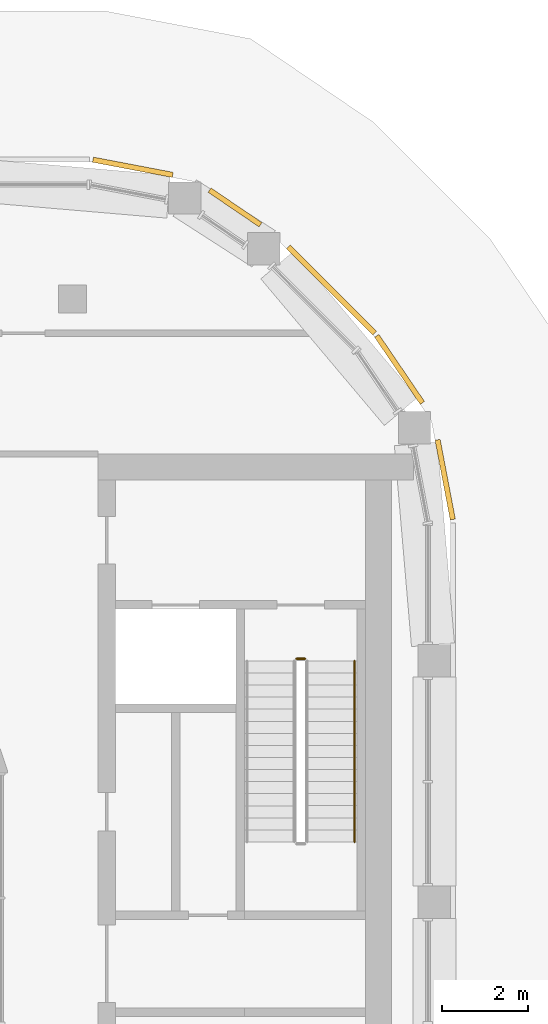
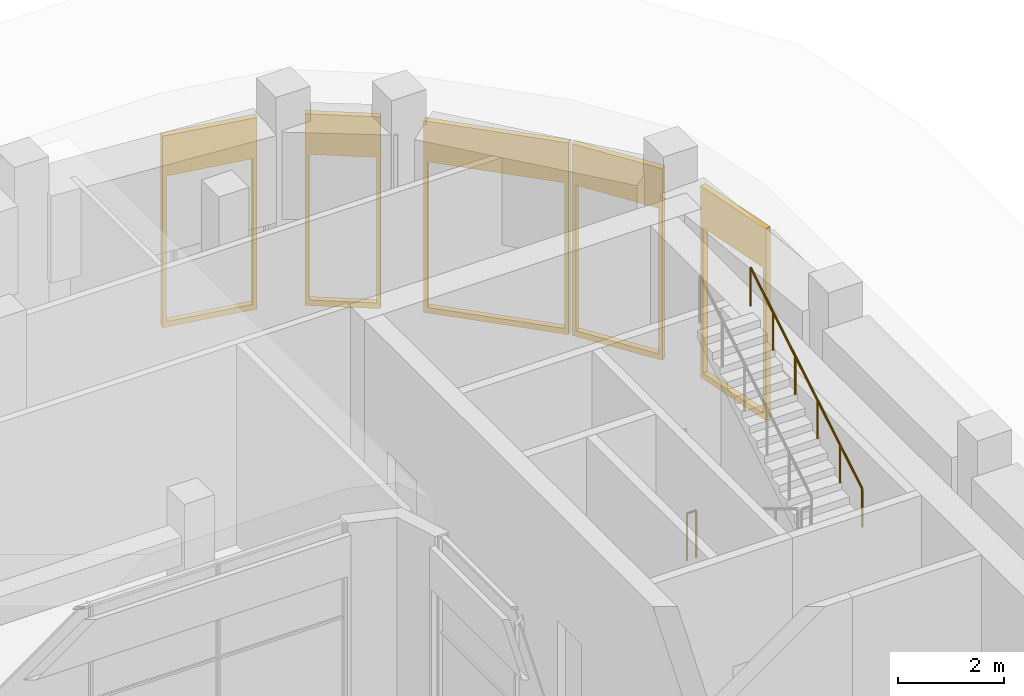
# One storey, part 23 of 23: 5 coverings, 2 railings.
"""IFC4 building model written with IfcOpenShell, lengths in metres."""

from ifc_helpers import new_model, si_unit, direction, frame, origin, origin_2d, place, context, subcontext, project, spatial, polyline, circle, outline, extrude, material, layer, layer_set, type_object, element, save


model = new_model("IFC4")

# Units and contexts
model_context = context("Model", 3, precision=1e-05, world=origin(), true_north=direction((0.0, 1.0)))
body_context = subcontext(model_context, "Body", "Model", "MODEL_VIEW")
ifc_project = project(units=[si_unit("LENGTHUNIT", "METRE"), si_unit("AREAUNIT", "SQUARE_METRE"), si_unit("VOLUMEUNIT", "CUBIC_METRE"), si_unit("PLANEANGLEUNIT", "RADIAN"), si_unit("MASSUNIT", "GRAM", prefix="KILO")], contexts=[model_context])

# Site, building, storey
site_placement = place(None, origin())
site = spatial("IfcSite", under=ifc_project, at=site_placement, CompositionType="ELEMENT")
building_placement = place(site_placement, origin())
building = spatial("IfcBuilding", under=site, at=building_placement, Name="Kiln Ring Residences", CompositionType="ELEMENT")
storey_placement = place(building_placement, frame((0.0, 0.0, 294.5)))
storey = spatial("IfcBuildingStorey", under=building, at=storey_placement, Name="L76", CompositionType="ELEMENT", Elevation=294.5)

# Railings
ifc_material_1 = material(Name="Stainless steel", Category="steel")
railing_type_1 = type_object("IfcRailingType", Name="CORE-STAIR-GUARD", PredefinedType="GUARDRAIL", material=ifc_material_1)
railing_1_placement = place(storey_placement, frame((22.0, 8.449951171875, 0.0)))
element("IfcRailing", 1, at=railing_1_placement, inside=storey, type_object=railing_type_1, Name="L76 E-STN stair guard 4", PredefinedType="GUARDRAIL", context=body_context, shape_type="SweptSolid", body=[
    extrude(circle(Radius=0.02392578125, at=origin_2d()), frame((0.0, 0.0, 1.076171875), z_axis=(1.0, 0.0, 0.0), x_axis=(0.0, 1.0, 0.0)), (0.0, 0.0, 1.0), 0.199951171875),
    extrude(circle(Radius=0.02099609375, at=origin_2d()), origin(), (0.0, 0.0, 1.0), 1.052001953125),
    extrude(circle(Radius=0.02099609375, at=origin_2d()), frame((0.199951171875, 0.0, 0.0)), (0.0, 0.0, 1.0), 1.052001953125),
])
ifc_material_2 = material(Name="Stainless steel", Category="steel")
railing_type_2 = type_object("IfcRailingType", Name="CORE-STAIR-HANDRAIL", PredefinedType="HANDRAIL", material=ifc_material_2)
railing_2_placement = place(storey_placement, frame((23.35009765625, 4.199951171875, 2.86865234375)))
element("IfcRailing", 2, at=railing_2_placement, inside=storey, type_object=railing_type_2, Name="L76 E-STN stair handrail 2", PredefinedType="HANDRAIL", context=body_context, shape_type="SweptSolid", body=[
    extrude(circle(Radius=0.02392578125, at=origin_2d()), frame((0.0, 0.0, 0.8759765625), z_axis=(0.0, 0.856476492594, 0.516186030065), x_axis=(-1.0, 0.0, 0.0)), (0.0, 0.0, 1.0), 4.90380859375),
    extrude(circle(Radius=0.02099609375, at=origin_2d()), origin(), (0.0, 0.0, 1.0), 0.851806640625),
    extrude(circle(Radius=0.02099609375, at=origin_2d()), frame((0.0, 0.840087890625, 0.50634765625)), (0.0, 0.0, 1.0), 0.851806640625),
    extrude(circle(Radius=0.02099609375, at=origin_2d()), frame((0.0, 1.679931640625, 1.012451171875)), (0.0, 0.0, 1.0), 0.851806640625),
    extrude(circle(Radius=0.02099609375, at=origin_2d()), frame((0.0, 2.52001953125, 1.518798828125)), (0.0, 0.0, 1.0), 0.851806640625),
    extrude(circle(Radius=0.02099609375, at=origin_2d()), frame((0.0, 3.35986328125, 2.02490234375)), (0.0, 0.0, 1.0), 0.851806640625),
    extrude(circle(Radius=0.02099609375, at=origin_2d()), frame((0.0, 4.199951171875, 2.53125)), (0.0, 0.0, 1.0), 0.851806640625),
])

# Coverings
ifc_material_3 = material(Name="Brick masonry, dark clay brick", Category="masonry")
ifc_layer = layer(ifc_material_3, 0.1201171875)
ifc_layer_set = layer_set([ifc_layer], Name="RAINSCREEN PANEL 120")
covering_type = type_object("IfcCoveringType", Name="RAINSCREEN PANEL 120", PredefinedType="CLADDING", material=ifc_layer_set)
for number, where, z_axis, x_axis, name in (
    (3, (25.627197265625, 11.681396484375, 0.0), (0.0, 0.0, 1.0), (-0.187273123953, 0.982307883021, 0.0), "RAINSCREEN L76"),
    (4, (24.920166015625, 14.3857421875, 0.0), (0.0, 0.0, 1.0), (-0.562075713892, 0.827085782645, 0.0), "RAINSCREEN L76"),
):
    element("IfcCovering", number, at=place(storey_placement, frame(where, z_axis=z_axis, x_axis=x_axis)), inside=storey, type_object=covering_type, Name=name, PredefinedType="CLADDING", context=body_context, shape_type="SweptSolid", body=[
        extrude(outline(polyline([(0.0, 0.0), (1.881103515625, 0.0), (1.881103515625, 4.39990234375), (0.0, 4.39990234375), (0.0, 0.0)]), holes=[polyline([(0.080078125, 3.469970703125), (0.080078125, 0.1298828125), (1.801025390625, 0.1298828125), (1.801025390625, 3.469970703125), (0.080078125, 3.469970703125)])]), frame((0.0, 0.06005859375, 0.0), z_axis=(0.0, -1.0, 0.0), x_axis=(1.0, 0.0, 0.0)), (0.0, 0.0, 1.0), 0.1201171875),
    ])
covering_1_placement = place(storey_placement, frame((23.810546875, 16.004638671875, 0.0), z_axis=(0.0, 0.0, 1.0), x_axis=(-0.707106781187, 0.707106781187, 0.0)))
element("IfcCovering", 5, at=covering_1_placement, inside=storey, type_object=covering_type, Name="RAINSCREEN L76", PredefinedType="CLADDING", context=body_context, shape_type="SweptSolid", body=[
    extrude(outline(polyline([(0.0, 0.0), (2.824951171875, 0.0), (2.824951171875, 4.39990234375), (0.0, 4.39990234375), (0.0, 0.0)]), holes=[polyline([(0.080078125, 3.469970703125), (0.080078125, 0.1298828125), (2.7451171875, 0.1298828125), (2.7451171875, 3.469970703125), (0.080078125, 3.469970703125)])]), frame((0.0, 0.06005859375, 0.0), z_axis=(0.0, -1.0, 0.0), x_axis=(1.0, 0.0, 0.0)), (0.0, 0.0, 1.0), 0.1201171875),
])
covering_2_placement = place(storey_placement, frame((21.166015625, 18.517822265625, 0.0), z_axis=(0.0, 0.0, 1.0), x_axis=(-0.827015589659, 0.562178987923, 0.0)))
element("IfcCovering", 6, at=covering_2_placement, inside=storey, type_object=covering_type, Name="RAINSCREEN L76", PredefinedType="CLADDING", context=body_context, shape_type="SweptSolid", body=[
    extrude(outline(polyline([(0.0, 0.0), (1.427001953125, 0.0), (1.427001953125, 4.39990234375), (0.0, 4.39990234375), (0.0, 0.0)]), holes=[polyline([(0.080078125, 3.469970703125), (0.080078125, 0.1298828125), (1.34716796875, 0.1298828125), (1.34716796875, 3.469970703125), (0.080078125, 3.469970703125)])]), frame((0.0, 0.06005859375, 0.0), z_axis=(0.0, -1.0, 0.0), x_axis=(1.0, 0.0, 0.0)), (0.0, 0.0, 1.0), 0.1201171875),
])
covering_3_placement = place(storey_placement, frame((19.12939453125, 19.6748046875, 0.0), z_axis=(0.0, 0.0, 1.0), x_axis=(-0.982284001233, 0.187398348234, 0.0)))
element("IfcCovering", 7, at=covering_3_placement, inside=storey, type_object=covering_type, Name="RAINSCREEN L76", PredefinedType="CLADDING", context=body_context, shape_type="SweptSolid", body=[
    extrude(outline(polyline([(0.0, 0.0), (1.881103515625, 0.0), (1.881103515625, 4.39990234375), (0.0, 4.39990234375), (0.0, 0.0)]), holes=[polyline([(0.080078125, 3.469970703125), (0.080078125, 0.1298828125), (1.801025390625, 0.1298828125), (1.801025390625, 3.469970703125), (0.080078125, 3.469970703125)])]), frame((0.0, 0.06005859375, 0.0), z_axis=(0.0, -1.0, 0.0), x_axis=(1.0, 0.0, 0.0)), (0.0, 0.0, 1.0), 0.1201171875),
])

save(model, "model.ifc")
